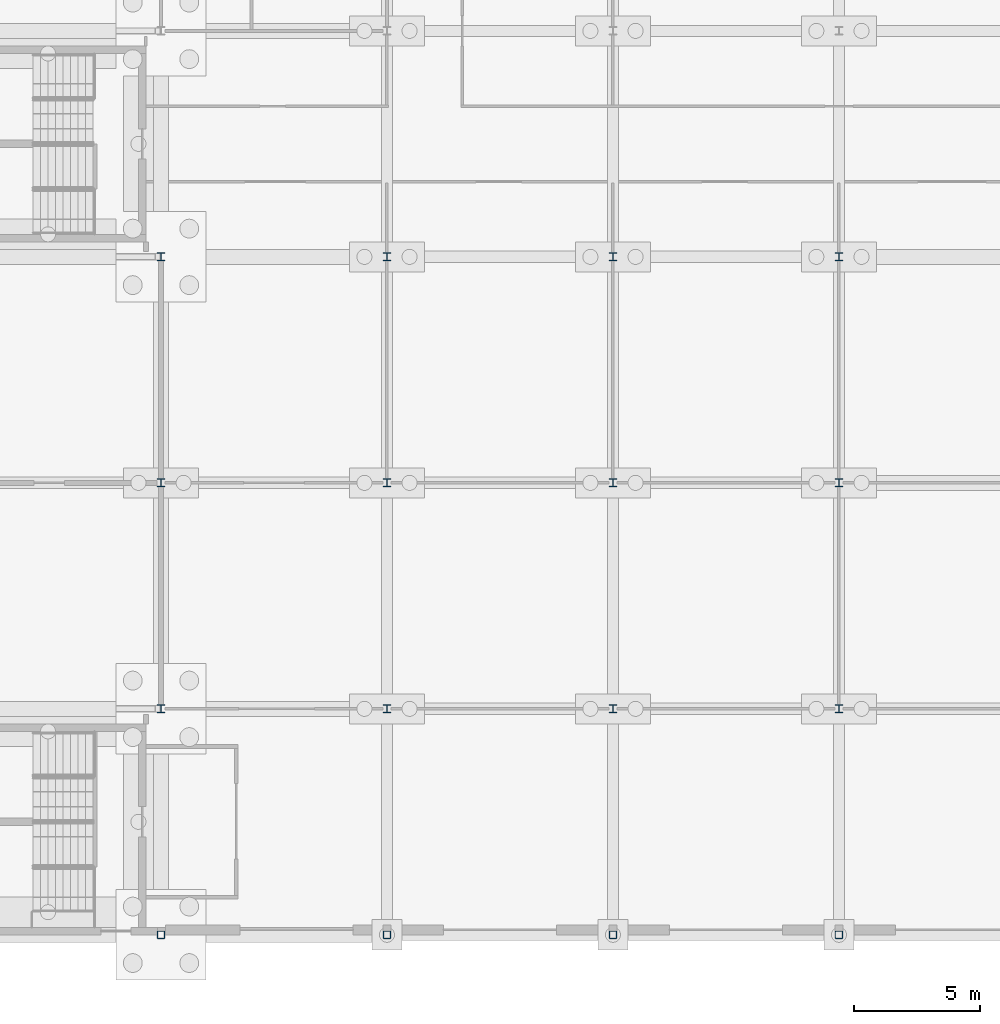
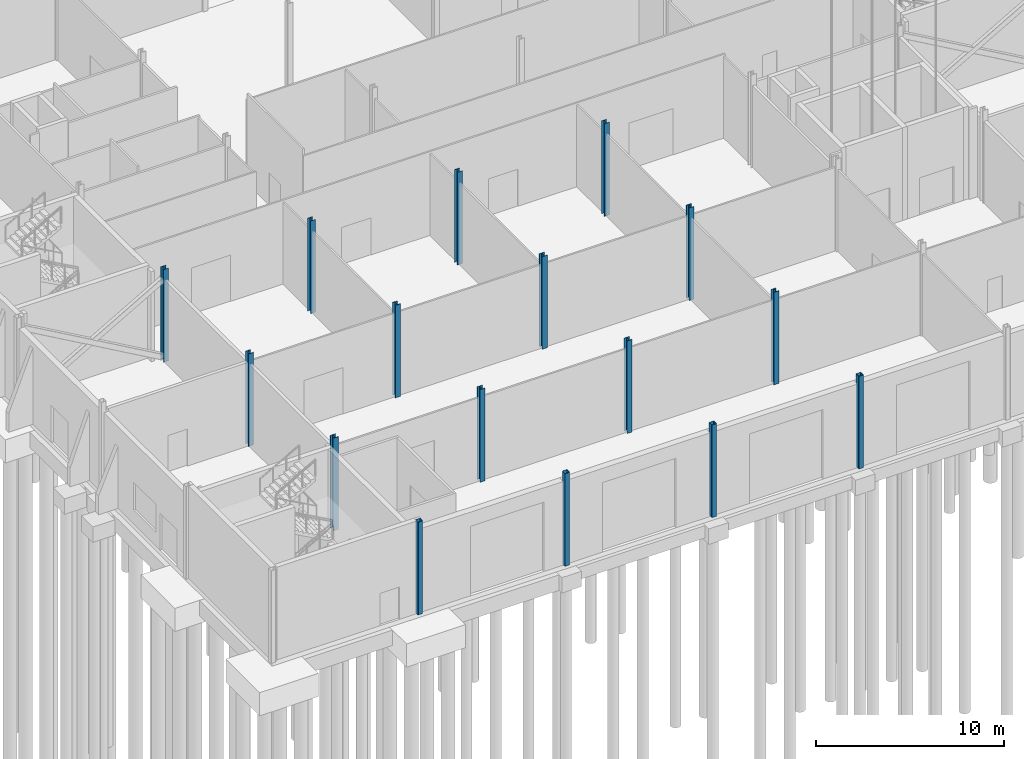
# One storey, part 19 of 139: 16 columns.
"""IFC4 building model written with IfcOpenShell, lengths in metres."""

from ifc_helpers import new_model, si_unit, direction, frame, origin, origin_2d, place, context, subcontext, project, spatial, hollow_rectangle, i_section, extrude, material, material_profile, profile_set, type_object, element, save


model = new_model("IFC4")

# Units and contexts
model_context = context("Model", 3, precision=1e-05, world=origin(), true_north=direction((0.0, 1.0)))
body_context = subcontext(model_context, "Body", "Model", "MODEL_VIEW")
ifc_project = project(units=[si_unit("LENGTHUNIT", "METRE"), si_unit("AREAUNIT", "SQUARE_METRE"), si_unit("VOLUMEUNIT", "CUBIC_METRE"), si_unit("PLANEANGLEUNIT", "RADIAN"), si_unit("MASSUNIT", "GRAM", prefix="KILO")], contexts=[model_context])

# Site, building, storey
site_placement = place(None, origin())
site = spatial("IfcSite", under=ifc_project, at=site_placement, CompositionType="ELEMENT")
building_placement = place(site_placement, origin())
building = spatial("IfcBuilding", under=site, at=building_placement, Name="Shorebreak Coast Museum", CompositionType="ELEMENT")
storey_placement = place(building_placement, origin())
storey = spatial("IfcBuildingStorey", under=building, at=storey_placement, Name="L00", CompositionType="ELEMENT", Elevation=0.0)

# Columns
ifc_material_1 = material(Name="Steel Grade C450L0", Category="steel")
ifc_material_profile_1 = material_profile(ifc_material_1, hollow_rectangle(XDim=0.300048828125, YDim=0.300048828125, WallThickness=0.012451171875, InnerFilletRadius=0.018798828125, OuterFilletRadius=0.03125, at=origin_2d()), Name="300x300x12.5 SHS")
ifc_profile_set_1 = profile_set([ifc_material_profile_1], Name="Steel Grade C450L0")
column_type_1 = type_object("IfcColumnType", Name="Column 300x300x12.5 SHS", PredefinedType="COLUMN", material=ifc_profile_set_1)
for number, where, z_axis, x_axis, name in (
    (1, (63.0, 0.0, 0.0), (0.0, 0.0, 1.0), (1.0, 0.0, 0.0), "Column L00 8A"),
    (2, (72.0, 0.0, 0.0), (0.0, 0.0, 1.0), (1.0, 0.0, 0.0), "Column L00 9A"),
    (3, (81.0, 0.0, 0.0), (0.0, 0.0, 1.0), (1.0, 0.0, 0.0), "Column L00 10A"),
    (4, (90.0, 0.0, 0.0), (0.0, 0.0, 1.0), (1.0, 0.0, 0.0), "Column L00 11A"),
):
    element("IfcColumn", number, at=place(storey_placement, frame(where, z_axis=z_axis, x_axis=x_axis)), inside=storey, type_object=column_type_1, Name=name, PredefinedType="COLUMN", context=body_context, shape_type="SweptSolid", body=[
        extrude(hollow_rectangle(XDim=0.300048828125, YDim=0.300048828125, WallThickness=0.012451171875, InnerFilletRadius=0.018798828125, OuterFilletRadius=0.03125, at=origin_2d()), origin(), (0.0, 0.0, 1.0), 6.0),
    ])
ifc_material_2 = material(Name="Steel Grade 300", Category="steel")
ifc_material_profile_2 = material_profile(ifc_material_2, i_section(OverallWidth=0.30908203125, OverallDepth=0.320556640625, WebThickness=0.013916015625, FlangeThickness=0.021728515625, FilletRadius=0.0166015625, at=origin_2d()), Name="310UC137")
ifc_profile_set_2 = profile_set([ifc_material_profile_2], Name="Steel Grade 300")
column_type_2 = type_object("IfcColumnType", Name="Column 310UC137", PredefinedType="COLUMN", material=ifc_profile_set_2)
for number, where, z_axis, x_axis, name in (
    (5, (63.0, 9.0, 0.0), (0.0, 0.0, 1.0), (1.0, 0.0, 0.0), "Column L00 8B"),
    (6, (72.0, 9.0, 0.0), (0.0, 0.0, 1.0), (1.0, 0.0, 0.0), "Column L00 9B"),
    (7, (81.0, 9.0, 0.0), (0.0, 0.0, 1.0), (1.0, 0.0, 0.0), "Column L00 10B"),
    (8, (90.0, 9.0, 0.0), (0.0, 0.0, 1.0), (1.0, 0.0, 0.0), "Column L00 11B"),
    (9, (63.0, 18.0, 0.0), (0.0, 0.0, 1.0), (1.0, 0.0, 0.0), "Column L00 8C"),
    (10, (72.0, 18.0, 0.0), (0.0, 0.0, 1.0), (1.0, 0.0, 0.0), "Column L00 9C"),
    (11, (81.0, 18.0, 0.0), (0.0, 0.0, 1.0), (1.0, 0.0, 0.0), "Column L00 10C"),
    (12, (90.0, 18.0, 0.0), (0.0, 0.0, 1.0), (1.0, 0.0, 0.0), "Column L00 11C"),
    (13, (63.0, 27.0, 0.0), (0.0, 0.0, 1.0), (1.0, 0.0, 0.0), "Column L00 8D"),
    (14, (72.0, 27.0, 0.0), (0.0, 0.0, 1.0), (1.0, 0.0, 0.0), "Column L00 9D"),
    (15, (81.0, 27.0, 0.0), (0.0, 0.0, 1.0), (1.0, 0.0, 0.0), "Column L00 10D"),
    (16, (90.0, 27.0, 0.0), (0.0, 0.0, 1.0), (1.0, 0.0, 0.0), "Column L00 11D"),
):
    element("IfcColumn", number, at=place(storey_placement, frame(where, z_axis=z_axis, x_axis=x_axis)), inside=storey, type_object=column_type_2, Name=name, PredefinedType="COLUMN", context=body_context, shape_type="SweptSolid", body=[
        extrude(i_section(OverallWidth=0.30908203125, OverallDepth=0.320556640625, WebThickness=0.013916015625, FlangeThickness=0.021728515625, FilletRadius=0.0166015625, at=origin_2d()), origin(), (0.0, 0.0, 1.0), 6.0),
    ])

save(model, "model.ifc")
